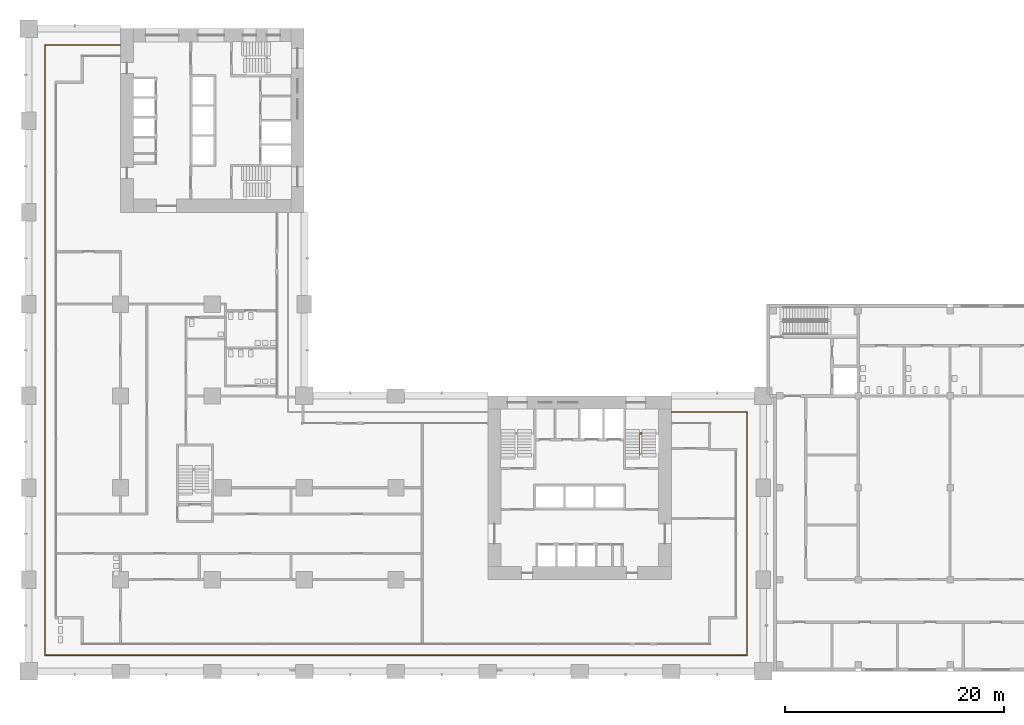
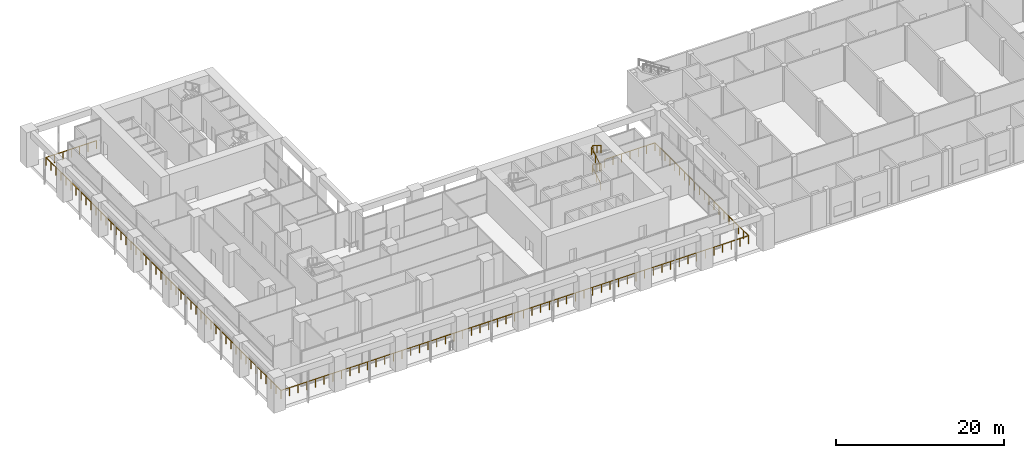
# One storey, part 27 of 33: 2 railings.
"""IFC4 building model written with IfcOpenShell, lengths in metres."""

from ifc_helpers import new_model, si_unit, direction, frame, origin, origin_2d, place, context, subcontext, project, spatial, circle, extrude, material, type_object, element, save


model = new_model("IFC4")

# Units and contexts
model_context = context("Model", 3, precision=1e-05, world=origin(), true_north=direction((0.0, 1.0)))
body_context = subcontext(model_context, "Body", "Model", "MODEL_VIEW")
ifc_project = project(units=[si_unit("LENGTHUNIT", "METRE"), si_unit("AREAUNIT", "SQUARE_METRE"), si_unit("VOLUMEUNIT", "CUBIC_METRE"), si_unit("PLANEANGLEUNIT", "RADIAN"), si_unit("MASSUNIT", "GRAM", prefix="KILO")], contexts=[model_context])

# Site, building, storey
site_placement = place(None, origin())
site = spatial("IfcSite", under=ifc_project, at=site_placement, CompositionType="ELEMENT")
building_placement = place(site_placement, origin())
building = spatial("IfcBuilding", under=site, at=building_placement, Name="Vermilion Gate Residences", CompositionType="ELEMENT")
storey_placement = place(building_placement, frame((0.0, 0.0, 14.39990234375)))
storey = spatial("IfcBuildingStorey", under=building, at=storey_placement, Name="L02", CompositionType="ELEMENT", Elevation=14.39990234375)

# Railings
ifc_material_1 = material(Name="Stainless steel and toughened glass", Category="steel")
railing_type_1 = type_object("IfcRailingType", Name="LOGGIA GUARD STEEL AND GLASS 1200", PredefinedType="GUARDRAIL", material=ifc_material_1)
railing_1_placement = place(storey_placement, frame((8.3779296875, 57.324951171875, 0.0)))
element("IfcRailing", 1, at=railing_1_placement, inside=storey, type_object=railing_type_1, Name="Loggia guard", PredefinedType="GUARDRAIL", context=body_context, shape_type="SweptSolid", body=[
    extrude(circle(Radius=0.030029296875, at=origin_2d()), frame((0.0, 0.0, 1.169921875), z_axis=(-1.0, 0.0, 0.0), x_axis=(0.0, -1.0, 0.0)), (0.0, 0.0, 1.0), 6.90283203125),
    extrude(circle(Radius=0.030029296875, at=origin_2d()), frame((-6.90283203125, 0.0, 1.169921875), z_axis=(0.0, -1.0, 0.0), x_axis=(1.0, 0.0, 0.0)), (0.0, 0.0, 1.0), 55.849853515625),
    extrude(circle(Radius=0.030029296875, at=origin_2d()), frame((-6.90283203125, -55.849853515625, 1.169921875), z_axis=(1.0, 0.0, 0.0), x_axis=(0.0, 1.0, 0.0)), (0.0, 0.0, 1.0), 64.25),
    extrude(circle(Radius=0.030029296875, at=origin_2d()), frame((57.34716796875, -55.849853515625, 1.169921875), z_axis=(0.0, 1.0, 0.0), x_axis=(-1.0, 0.0, 0.0)), (0.0, 0.0, 1.0), 22.25),
    extrude(circle(Radius=0.030029296875, at=origin_2d()), frame((57.34716796875, -33.599853515625, 1.169921875), z_axis=(-1.0, 0.0, 0.0), x_axis=(0.0, -1.0, 0.0)), (0.0, 0.0, 1.0), 6.903076171875),
    extrude(circle(Radius=0.02490234375, at=origin_2d()), origin(), (0.0, 0.0, 1.0), 1.139892578125),
    extrude(circle(Radius=0.02490234375, at=origin_2d()), frame((-1.150390625, 0.0, 0.0)), (0.0, 0.0, 1.0), 1.139892578125),
    extrude(circle(Radius=0.02490234375, at=origin_2d()), frame((-2.301025390625, 0.0, 0.0)), (0.0, 0.0, 1.0), 1.139892578125),
    extrude(circle(Radius=0.02490234375, at=origin_2d()), frame((-3.451416015625, 0.0, 0.0)), (0.0, 0.0, 1.0), 1.139892578125),
    extrude(circle(Radius=0.02490234375, at=origin_2d()), frame((-4.601806640625, 0.0, 0.0)), (0.0, 0.0, 1.0), 1.139892578125),
    extrude(circle(Radius=0.02490234375, at=origin_2d()), frame((-5.75244140625, 0.0, 0.0)), (0.0, 0.0, 1.0), 1.139892578125),
    extrude(circle(Radius=0.02490234375, at=origin_2d()), frame((-6.90283203125, 0.0, 0.0)), (0.0, 0.0, 1.0), 1.139892578125),
    extrude(circle(Radius=0.02490234375, at=origin_2d()), frame((-6.90283203125, -1.188232421875, 0.0)), (0.0, 0.0, 1.0), 1.139892578125),
    extrude(circle(Radius=0.02490234375, at=origin_2d()), frame((-6.90283203125, -2.376708984375, 0.0)), (0.0, 0.0, 1.0), 1.139892578125),
    extrude(circle(Radius=0.02490234375, at=origin_2d()), frame((-6.90283203125, -3.56494140625, 0.0)), (0.0, 0.0, 1.0), 1.139892578125),
    extrude(circle(Radius=0.02490234375, at=origin_2d()), frame((-6.90283203125, -4.753173828125, 0.0)), (0.0, 0.0, 1.0), 1.139892578125),
    extrude(circle(Radius=0.02490234375, at=origin_2d()), frame((-6.90283203125, -5.94140625, 0.0)), (0.0, 0.0, 1.0), 1.139892578125),
    extrude(circle(Radius=0.02490234375, at=origin_2d()), frame((-6.90283203125, -7.1298828125, 0.0)), (0.0, 0.0, 1.0), 1.139892578125),
    extrude(circle(Radius=0.02490234375, at=origin_2d()), frame((-6.90283203125, -8.318115234375, 0.0)), (0.0, 0.0, 1.0), 1.139892578125),
    extrude(circle(Radius=0.02490234375, at=origin_2d()), frame((-6.90283203125, -9.50634765625, 0.0)), (0.0, 0.0, 1.0), 1.139892578125),
    extrude(circle(Radius=0.02490234375, at=origin_2d()), frame((-6.90283203125, -10.694580078125, 0.0)), (0.0, 0.0, 1.0), 1.139892578125),
    extrude(circle(Radius=0.02490234375, at=origin_2d()), frame((-6.90283203125, -11.883056640625, 0.0)), (0.0, 0.0, 1.0), 1.139892578125),
    extrude(circle(Radius=0.02490234375, at=origin_2d()), frame((-6.90283203125, -13.0712890625, 0.0)), (0.0, 0.0, 1.0), 1.139892578125),
    extrude(circle(Radius=0.02490234375, at=origin_2d()), frame((-6.90283203125, -14.259521484375, 0.0)), (0.0, 0.0, 1.0), 1.139892578125),
    extrude(circle(Radius=0.02490234375, at=origin_2d()), frame((-6.90283203125, -15.44775390625, 0.0)), (0.0, 0.0, 1.0), 1.139892578125),
    extrude(circle(Radius=0.02490234375, at=origin_2d()), frame((-6.90283203125, -16.63623046875, 0.0)), (0.0, 0.0, 1.0), 1.139892578125),
    extrude(circle(Radius=0.02490234375, at=origin_2d()), frame((-6.90283203125, -17.824462890625, 0.0)), (0.0, 0.0, 1.0), 1.139892578125),
    extrude(circle(Radius=0.02490234375, at=origin_2d()), frame((-6.90283203125, -19.0126953125, 0.0)), (0.0, 0.0, 1.0), 1.139892578125),
    extrude(circle(Radius=0.02490234375, at=origin_2d()), frame((-6.90283203125, -20.200927734375, 0.0)), (0.0, 0.0, 1.0), 1.139892578125),
    extrude(circle(Radius=0.02490234375, at=origin_2d()), frame((-6.90283203125, -21.389404296875, 0.0)), (0.0, 0.0, 1.0), 1.139892578125),
    extrude(circle(Radius=0.02490234375, at=origin_2d()), frame((-6.90283203125, -22.57763671875, 0.0)), (0.0, 0.0, 1.0), 1.139892578125),
    extrude(circle(Radius=0.02490234375, at=origin_2d()), frame((-6.90283203125, -23.765869140625, 0.0)), (0.0, 0.0, 1.0), 1.139892578125),
    extrude(circle(Radius=0.02490234375, at=origin_2d()), frame((-6.90283203125, -24.9541015625, 0.0)), (0.0, 0.0, 1.0), 1.139892578125),
    extrude(circle(Radius=0.02490234375, at=origin_2d()), frame((-6.90283203125, -26.142578125, 0.0)), (0.0, 0.0, 1.0), 1.139892578125),
    extrude(circle(Radius=0.02490234375, at=origin_2d()), frame((-6.90283203125, -27.330810546875, 0.0)), (0.0, 0.0, 1.0), 1.139892578125),
    extrude(circle(Radius=0.02490234375, at=origin_2d()), frame((-6.90283203125, -28.51904296875, 0.0)), (0.0, 0.0, 1.0), 1.139892578125),
    extrude(circle(Radius=0.02490234375, at=origin_2d()), frame((-6.90283203125, -29.707275390625, 0.0)), (0.0, 0.0, 1.0), 1.139892578125),
    extrude(circle(Radius=0.02490234375, at=origin_2d()), frame((-6.90283203125, -30.895751953125, 0.0)), (0.0, 0.0, 1.0), 1.139892578125),
    extrude(circle(Radius=0.02490234375, at=origin_2d()), frame((-6.90283203125, -32.083984375, 0.0)), (0.0, 0.0, 1.0), 1.139892578125),
    extrude(circle(Radius=0.02490234375, at=origin_2d()), frame((-6.90283203125, -33.272216796875, 0.0)), (0.0, 0.0, 1.0), 1.139892578125),
    extrude(circle(Radius=0.02490234375, at=origin_2d()), frame((-6.90283203125, -34.46044921875, 0.0)), (0.0, 0.0, 1.0), 1.139892578125),
    extrude(circle(Radius=0.02490234375, at=origin_2d()), frame((-6.90283203125, -35.64892578125, 0.0)), (0.0, 0.0, 1.0), 1.139892578125),
    extrude(circle(Radius=0.02490234375, at=origin_2d()), frame((-6.90283203125, -36.837158203125, 0.0)), (0.0, 0.0, 1.0), 1.139892578125),
    extrude(circle(Radius=0.02490234375, at=origin_2d()), frame((-6.90283203125, -38.025390625, 0.0)), (0.0, 0.0, 1.0), 1.139892578125),
    extrude(circle(Radius=0.02490234375, at=origin_2d()), frame((-6.90283203125, -39.213623046875, 0.0)), (0.0, 0.0, 1.0), 1.139892578125),
    extrude(circle(Radius=0.02490234375, at=origin_2d()), frame((-6.90283203125, -40.402099609375, 0.0)), (0.0, 0.0, 1.0), 1.139892578125),
    extrude(circle(Radius=0.02490234375, at=origin_2d()), frame((-6.90283203125, -41.59033203125, 0.0)), (0.0, 0.0, 1.0), 1.139892578125),
    extrude(circle(Radius=0.02490234375, at=origin_2d()), frame((-6.90283203125, -42.778564453125, 0.0)), (0.0, 0.0, 1.0), 1.139892578125),
    extrude(circle(Radius=0.02490234375, at=origin_2d()), frame((-6.90283203125, -43.966796875, 0.0)), (0.0, 0.0, 1.0), 1.139892578125),
    extrude(circle(Radius=0.02490234375, at=origin_2d()), frame((-6.90283203125, -45.1552734375, 0.0)), (0.0, 0.0, 1.0), 1.139892578125),
    extrude(circle(Radius=0.02490234375, at=origin_2d()), frame((-6.90283203125, -46.343505859375, 0.0)), (0.0, 0.0, 1.0), 1.139892578125),
    extrude(circle(Radius=0.02490234375, at=origin_2d()), frame((-6.90283203125, -47.53173828125, 0.0)), (0.0, 0.0, 1.0), 1.139892578125),
    extrude(circle(Radius=0.02490234375, at=origin_2d()), frame((-6.90283203125, -48.719970703125, 0.0)), (0.0, 0.0, 1.0), 1.139892578125),
    extrude(circle(Radius=0.02490234375, at=origin_2d()), frame((-6.90283203125, -49.908447265625, 0.0)), (0.0, 0.0, 1.0), 1.139892578125),
    extrude(circle(Radius=0.02490234375, at=origin_2d()), frame((-6.90283203125, -51.0966796875, 0.0)), (0.0, 0.0, 1.0), 1.139892578125),
    extrude(circle(Radius=0.02490234375, at=origin_2d()), frame((-6.90283203125, -52.284912109375, 0.0)), (0.0, 0.0, 1.0), 1.139892578125),
    extrude(circle(Radius=0.02490234375, at=origin_2d()), frame((-6.90283203125, -53.47314453125, 0.0)), (0.0, 0.0, 1.0), 1.139892578125),
    extrude(circle(Radius=0.02490234375, at=origin_2d()), frame((-6.90283203125, -54.66162109375, 0.0)), (0.0, 0.0, 1.0), 1.139892578125),
    extrude(circle(Radius=0.02490234375, at=origin_2d()), frame((-6.90283203125, -55.849853515625, 0.0)), (0.0, 0.0, 1.0), 1.139892578125),
    extrude(circle(Radius=0.02490234375, at=origin_2d()), frame((-5.713134765625, -55.849853515625, 0.0)), (0.0, 0.0, 1.0), 1.139892578125),
    extrude(circle(Radius=0.02490234375, at=origin_2d()), frame((-4.523193359375, -55.849853515625, 0.0)), (0.0, 0.0, 1.0), 1.139892578125),
    extrude(circle(Radius=0.02490234375, at=origin_2d()), frame((-3.33349609375, -55.849853515625, 0.0)), (0.0, 0.0, 1.0), 1.139892578125),
    extrude(circle(Radius=0.02490234375, at=origin_2d()), frame((-2.1435546875, -55.849853515625, 0.0)), (0.0, 0.0, 1.0), 1.139892578125),
    extrude(circle(Radius=0.02490234375, at=origin_2d()), frame((-0.953857421875, -55.849853515625, 0.0)), (0.0, 0.0, 1.0), 1.139892578125),
    extrude(circle(Radius=0.02490234375, at=origin_2d()), frame((0.236083984375, -55.849853515625, 0.0)), (0.0, 0.0, 1.0), 1.139892578125),
    extrude(circle(Radius=0.02490234375, at=origin_2d()), frame((1.42578125, -55.849853515625, 0.0)), (0.0, 0.0, 1.0), 1.139892578125),
    extrude(circle(Radius=0.02490234375, at=origin_2d()), frame((2.61572265625, -55.849853515625, 0.0)), (0.0, 0.0, 1.0), 1.139892578125),
    extrude(circle(Radius=0.02490234375, at=origin_2d()), frame((3.805419921875, -55.849853515625, 0.0)), (0.0, 0.0, 1.0), 1.139892578125),
    extrude(circle(Radius=0.02490234375, at=origin_2d()), frame((4.995361328125, -55.849853515625, 0.0)), (0.0, 0.0, 1.0), 1.139892578125),
    extrude(circle(Radius=0.02490234375, at=origin_2d()), frame((6.18505859375, -55.849853515625, 0.0)), (0.0, 0.0, 1.0), 1.139892578125),
    extrude(circle(Radius=0.02490234375, at=origin_2d()), frame((7.375, -55.849853515625, 0.0)), (0.0, 0.0, 1.0), 1.139892578125),
    extrude(circle(Radius=0.02490234375, at=origin_2d()), frame((8.564697265625, -55.849853515625, 0.0)), (0.0, 0.0, 1.0), 1.139892578125),
    extrude(circle(Radius=0.02490234375, at=origin_2d()), frame((9.754638671875, -55.849853515625, 0.0)), (0.0, 0.0, 1.0), 1.139892578125),
    extrude(circle(Radius=0.02490234375, at=origin_2d()), frame((10.9443359375, -55.849853515625, 0.0)), (0.0, 0.0, 1.0), 1.139892578125),
    extrude(circle(Radius=0.02490234375, at=origin_2d()), frame((12.13427734375, -55.849853515625, 0.0)), (0.0, 0.0, 1.0), 1.139892578125),
    extrude(circle(Radius=0.02490234375, at=origin_2d()), frame((13.323974609375, -55.849853515625, 0.0)), (0.0, 0.0, 1.0), 1.139892578125),
    extrude(circle(Radius=0.02490234375, at=origin_2d()), frame((14.513916015625, -55.849853515625, 0.0)), (0.0, 0.0, 1.0), 1.139892578125),
    extrude(circle(Radius=0.02490234375, at=origin_2d()), frame((15.70361328125, -55.849853515625, 0.0)), (0.0, 0.0, 1.0), 1.139892578125),
    extrude(circle(Radius=0.02490234375, at=origin_2d()), frame((16.8935546875, -55.849853515625, 0.0)), (0.0, 0.0, 1.0), 1.139892578125),
    extrude(circle(Radius=0.02490234375, at=origin_2d()), frame((18.083251953125, -55.849853515625, 0.0)), (0.0, 0.0, 1.0), 1.139892578125),
    extrude(circle(Radius=0.02490234375, at=origin_2d()), frame((19.273193359375, -55.849853515625, 0.0)), (0.0, 0.0, 1.0), 1.139892578125),
    extrude(circle(Radius=0.02490234375, at=origin_2d()), frame((20.462890625, -55.849853515625, 0.0)), (0.0, 0.0, 1.0), 1.139892578125),
    extrude(circle(Radius=0.02490234375, at=origin_2d()), frame((21.65283203125, -55.849853515625, 0.0)), (0.0, 0.0, 1.0), 1.139892578125),
    extrude(circle(Radius=0.02490234375, at=origin_2d()), frame((22.842529296875, -55.849853515625, 0.0)), (0.0, 0.0, 1.0), 1.139892578125),
    extrude(circle(Radius=0.02490234375, at=origin_2d()), frame((24.032470703125, -55.849853515625, 0.0)), (0.0, 0.0, 1.0), 1.139892578125),
    extrude(circle(Radius=0.02490234375, at=origin_2d()), frame((25.22216796875, -55.849853515625, 0.0)), (0.0, 0.0, 1.0), 1.139892578125),
    extrude(circle(Radius=0.02490234375, at=origin_2d()), frame((26.411865234375, -55.849853515625, 0.0)), (0.0, 0.0, 1.0), 1.139892578125),
    extrude(circle(Radius=0.02490234375, at=origin_2d()), frame((27.601806640625, -55.849853515625, 0.0)), (0.0, 0.0, 1.0), 1.139892578125),
    extrude(circle(Radius=0.02490234375, at=origin_2d()), frame((28.79150390625, -55.849853515625, 0.0)), (0.0, 0.0, 1.0), 1.139892578125),
    extrude(circle(Radius=0.02490234375, at=origin_2d()), frame((29.9814453125, -55.849853515625, 0.0)), (0.0, 0.0, 1.0), 1.139892578125),
    extrude(circle(Radius=0.02490234375, at=origin_2d()), frame((31.171142578125, -55.849853515625, 0.0)), (0.0, 0.0, 1.0), 1.139892578125),
    extrude(circle(Radius=0.02490234375, at=origin_2d()), frame((32.361083984375, -55.849853515625, 0.0)), (0.0, 0.0, 1.0), 1.139892578125),
    extrude(circle(Radius=0.02490234375, at=origin_2d()), frame((33.55078125, -55.849853515625, 0.0)), (0.0, 0.0, 1.0), 1.139892578125),
    extrude(circle(Radius=0.02490234375, at=origin_2d()), frame((34.74072265625, -55.849853515625, 0.0)), (0.0, 0.0, 1.0), 1.139892578125),
    extrude(circle(Radius=0.02490234375, at=origin_2d()), frame((35.930419921875, -55.849853515625, 0.0)), (0.0, 0.0, 1.0), 1.139892578125),
    extrude(circle(Radius=0.02490234375, at=origin_2d()), frame((37.120361328125, -55.849853515625, 0.0)), (0.0, 0.0, 1.0), 1.139892578125),
    extrude(circle(Radius=0.02490234375, at=origin_2d()), frame((38.31005859375, -55.849853515625, 0.0)), (0.0, 0.0, 1.0), 1.139892578125),
    extrude(circle(Radius=0.02490234375, at=origin_2d()), frame((39.5, -55.849853515625, 0.0)), (0.0, 0.0, 1.0), 1.139892578125),
    extrude(circle(Radius=0.02490234375, at=origin_2d()), frame((40.689697265625, -55.849853515625, 0.0)), (0.0, 0.0, 1.0), 1.139892578125),
    extrude(circle(Radius=0.02490234375, at=origin_2d()), frame((41.879638671875, -55.849853515625, 0.0)), (0.0, 0.0, 1.0), 1.139892578125),
    extrude(circle(Radius=0.02490234375, at=origin_2d()), frame((43.0693359375, -55.849853515625, 0.0)), (0.0, 0.0, 1.0), 1.139892578125),
    extrude(circle(Radius=0.02490234375, at=origin_2d()), frame((44.25927734375, -55.849853515625, 0.0)), (0.0, 0.0, 1.0), 1.139892578125),
    extrude(circle(Radius=0.02490234375, at=origin_2d()), frame((45.448974609375, -55.849853515625, 0.0)), (0.0, 0.0, 1.0), 1.139892578125),
    extrude(circle(Radius=0.02490234375, at=origin_2d()), frame((46.638916015625, -55.849853515625, 0.0)), (0.0, 0.0, 1.0), 1.139892578125),
    extrude(circle(Radius=0.02490234375, at=origin_2d()), frame((47.82861328125, -55.849853515625, 0.0)), (0.0, 0.0, 1.0), 1.139892578125),
    extrude(circle(Radius=0.02490234375, at=origin_2d()), frame((49.0185546875, -55.849853515625, 0.0)), (0.0, 0.0, 1.0), 1.139892578125),
    extrude(circle(Radius=0.02490234375, at=origin_2d()), frame((50.208251953125, -55.849853515625, 0.0)), (0.0, 0.0, 1.0), 1.139892578125),
    extrude(circle(Radius=0.02490234375, at=origin_2d()), frame((51.398193359375, -55.849853515625, 0.0)), (0.0, 0.0, 1.0), 1.139892578125),
    extrude(circle(Radius=0.02490234375, at=origin_2d()), frame((52.587890625, -55.849853515625, 0.0)), (0.0, 0.0, 1.0), 1.139892578125),
    extrude(circle(Radius=0.02490234375, at=origin_2d()), frame((53.77783203125, -55.849853515625, 0.0)), (0.0, 0.0, 1.0), 1.139892578125),
    extrude(circle(Radius=0.02490234375, at=origin_2d()), frame((54.967529296875, -55.849853515625, 0.0)), (0.0, 0.0, 1.0), 1.139892578125),
    extrude(circle(Radius=0.02490234375, at=origin_2d()), frame((56.157470703125, -55.849853515625, 0.0)), (0.0, 0.0, 1.0), 1.139892578125),
    extrude(circle(Radius=0.02490234375, at=origin_2d()), frame((57.34716796875, -55.849853515625, 0.0)), (0.0, 0.0, 1.0), 1.139892578125),
    extrude(circle(Radius=0.02490234375, at=origin_2d()), frame((57.34716796875, -54.6787109375, 0.0)), (0.0, 0.0, 1.0), 1.139892578125),
    extrude(circle(Radius=0.02490234375, at=origin_2d()), frame((57.34716796875, -53.5078125, 0.0)), (0.0, 0.0, 1.0), 1.139892578125),
    extrude(circle(Radius=0.02490234375, at=origin_2d()), frame((57.34716796875, -52.336669921875, 0.0)), (0.0, 0.0, 1.0), 1.139892578125),
    extrude(circle(Radius=0.02490234375, at=origin_2d()), frame((57.34716796875, -51.16552734375, 0.0)), (0.0, 0.0, 1.0), 1.139892578125),
    extrude(circle(Radius=0.02490234375, at=origin_2d()), frame((57.34716796875, -49.99462890625, 0.0)), (0.0, 0.0, 1.0), 1.139892578125),
    extrude(circle(Radius=0.02490234375, at=origin_2d()), frame((57.34716796875, -48.823486328125, 0.0)), (0.0, 0.0, 1.0), 1.139892578125),
    extrude(circle(Radius=0.02490234375, at=origin_2d()), frame((57.34716796875, -47.652587890625, 0.0)), (0.0, 0.0, 1.0), 1.139892578125),
    extrude(circle(Radius=0.02490234375, at=origin_2d()), frame((57.34716796875, -46.4814453125, 0.0)), (0.0, 0.0, 1.0), 1.139892578125),
    extrude(circle(Radius=0.02490234375, at=origin_2d()), frame((57.34716796875, -45.310302734375, 0.0)), (0.0, 0.0, 1.0), 1.139892578125),
    extrude(circle(Radius=0.02490234375, at=origin_2d()), frame((57.34716796875, -44.139404296875, 0.0)), (0.0, 0.0, 1.0), 1.139892578125),
    extrude(circle(Radius=0.02490234375, at=origin_2d()), frame((57.34716796875, -42.96826171875, 0.0)), (0.0, 0.0, 1.0), 1.139892578125),
    extrude(circle(Radius=0.02490234375, at=origin_2d()), frame((57.34716796875, -41.797119140625, 0.0)), (0.0, 0.0, 1.0), 1.139892578125),
    extrude(circle(Radius=0.02490234375, at=origin_2d()), frame((57.34716796875, -40.626220703125, 0.0)), (0.0, 0.0, 1.0), 1.139892578125),
    extrude(circle(Radius=0.02490234375, at=origin_2d()), frame((57.34716796875, -39.455078125, 0.0)), (0.0, 0.0, 1.0), 1.139892578125),
    extrude(circle(Radius=0.02490234375, at=origin_2d()), frame((57.34716796875, -38.2841796875, 0.0)), (0.0, 0.0, 1.0), 1.139892578125),
    extrude(circle(Radius=0.02490234375, at=origin_2d()), frame((57.34716796875, -37.113037109375, 0.0)), (0.0, 0.0, 1.0), 1.139892578125),
    extrude(circle(Radius=0.02490234375, at=origin_2d()), frame((57.34716796875, -35.94189453125, 0.0)), (0.0, 0.0, 1.0), 1.139892578125),
    extrude(circle(Radius=0.02490234375, at=origin_2d()), frame((57.34716796875, -34.77099609375, 0.0)), (0.0, 0.0, 1.0), 1.139892578125),
    extrude(circle(Radius=0.02490234375, at=origin_2d()), frame((57.34716796875, -33.599853515625, 0.0)), (0.0, 0.0, 1.0), 1.139892578125),
    extrude(circle(Radius=0.02490234375, at=origin_2d()), frame((56.19677734375, -33.599853515625, 0.0)), (0.0, 0.0, 1.0), 1.139892578125),
    extrude(circle(Radius=0.02490234375, at=origin_2d()), frame((55.046142578125, -33.599853515625, 0.0)), (0.0, 0.0, 1.0), 1.139892578125),
    extrude(circle(Radius=0.02490234375, at=origin_2d()), frame((53.8955078125, -33.599853515625, 0.0)), (0.0, 0.0, 1.0), 1.139892578125),
    extrude(circle(Radius=0.02490234375, at=origin_2d()), frame((52.7451171875, -33.599853515625, 0.0)), (0.0, 0.0, 1.0), 1.139892578125),
    extrude(circle(Radius=0.02490234375, at=origin_2d()), frame((51.5947265625, -33.599853515625, 0.0)), (0.0, 0.0, 1.0), 1.139892578125),
    extrude(circle(Radius=0.02490234375, at=origin_2d()), frame((50.444091796875, -33.599853515625, 0.0)), (0.0, 0.0, 1.0), 1.139892578125),
])
ifc_material_2 = material(Name="Steel S355", Category="steel")
railing_type_2 = type_object("IfcRailingType", Name="STAIR GUARD 1100 STEEL", PredefinedType="GUARDRAIL", material=ifc_material_2)
railing_2_placement = place(storey_placement, frame((55.89990234375, 19.75, 0.1689453125)))
element("IfcRailing", 2, at=railing_2_placement, inside=storey, type_object=railing_type_2, Name="Stair well guard STA2-02", PredefinedType="GUARDRAIL", context=body_context, shape_type="SweptSolid", body=[
    extrude(circle(Radius=0.02392578125, at=origin_2d()), frame((0.0, 0.0, 1.076171875), z_axis=(0.0, 0.848004458282, 0.529989093033), x_axis=(-1.0, 0.0, 0.0)), (0.0, 0.0, 1.0), 2.228515625),
    extrude(circle(Radius=0.02392578125, at=origin_2d()), frame((0.0, 1.889892578125, 2.25732421875), z_axis=(0.629926475786, 0.566933828207, 0.530828286302), x_axis=(-0.668964731622, 0.743294146247, 0.0)), (0.0, 0.0, 1.0), 0.31787109375),
    extrude(circle(Radius=0.02392578125, at=origin_2d()), frame((0.2001953125, 2.070068359375, 2.42578125), z_axis=(0.0, -0.847985996966, 0.530018630757), x_axis=(1.0, 0.0, 0.0)), (0.0, 0.0, 1.0), 2.22900390625),
    extrude(circle(Radius=0.02392578125, at=origin_2d()), frame((0.2001953125, 0.179931640625, 3.607421875), z_axis=(-0.764693508358, 0.0, 0.64439416375), x_axis=(0.0, -1.0, 0.0)), (0.0, 0.0, 1.0), 0.26171875),
    extrude(circle(Radius=0.02392578125, at=origin_2d()), frame((0.0, 0.179931640625, 3.77587890625), z_axis=(0.0, 0.848035224522, 0.529939862598), x_axis=(-1.0, 0.0, 0.0)), (0.0, 0.0, 1.0), 2.228759765625),
    extrude(circle(Radius=0.02392578125, at=origin_2d()), frame((0.0, 2.070068359375, 4.95703125), z_axis=(0.764693508358, 0.0, 0.64439416375), x_axis=(0.0, 1.0, 0.0)), (0.0, 0.0, 1.0), 0.26171875),
    extrude(circle(Radius=0.02392578125, at=origin_2d()), frame((0.2001953125, 2.070068359375, 5.1259765625), z_axis=(0.0, -0.847985996966, 0.530018630757), x_axis=(1.0, 0.0, 0.0)), (0.0, 0.0, 1.0), 2.22900390625),
    extrude(circle(Radius=0.02099609375, at=origin_2d()), origin(), (0.0, 0.0, 1.0), 1.052001953125),
    extrude(circle(Radius=0.02099609375, at=origin_2d()), frame((0.0, 0.94482421875, 0.590576171875)), (0.0, 0.0, 1.0), 1.052001953125),
    extrude(circle(Radius=0.02099609375, at=origin_2d()), frame((0.0, 1.889892578125, 1.18115234375)), (0.0, 0.0, 1.0), 1.052001953125),
    extrude(circle(Radius=0.02099609375, at=origin_2d()), frame((0.2001953125, 2.070068359375, 1.349853515625)), (0.0, 0.0, 1.0), 1.052001953125),
    extrude(circle(Radius=0.02099609375, at=origin_2d()), frame((0.2001953125, 1.125, 1.9404296875)), (0.0, 0.0, 1.0), 1.052001953125),
    extrude(circle(Radius=0.02099609375, at=origin_2d()), frame((0.2001953125, 0.179931640625, 2.53125)), (0.0, 0.0, 1.0), 1.052001953125),
    extrude(circle(Radius=0.02099609375, at=origin_2d()), frame((0.0, 0.179931640625, 2.699951171875)), (0.0, 0.0, 1.0), 1.052001953125),
    extrude(circle(Radius=0.02099609375, at=origin_2d()), frame((0.0, 1.125, 3.29052734375)), (0.0, 0.0, 1.0), 1.052001953125),
    extrude(circle(Radius=0.02099609375, at=origin_2d()), frame((0.0, 2.070068359375, 3.881103515625)), (0.0, 0.0, 1.0), 1.052001953125),
    extrude(circle(Radius=0.02099609375, at=origin_2d()), frame((0.2001953125, 2.070068359375, 4.0498046875)), (0.0, 0.0, 1.0), 1.052001953125),
    extrude(circle(Radius=0.02099609375, at=origin_2d()), frame((0.2001953125, 1.125, 4.640625)), (0.0, 0.0, 1.0), 1.052001953125),
    extrude(circle(Radius=0.02099609375, at=origin_2d()), frame((0.2001953125, 0.179931640625, 5.231201171875)), (0.0, 0.0, 1.0), 1.052001953125),
])

save(model, "model.ifc")
